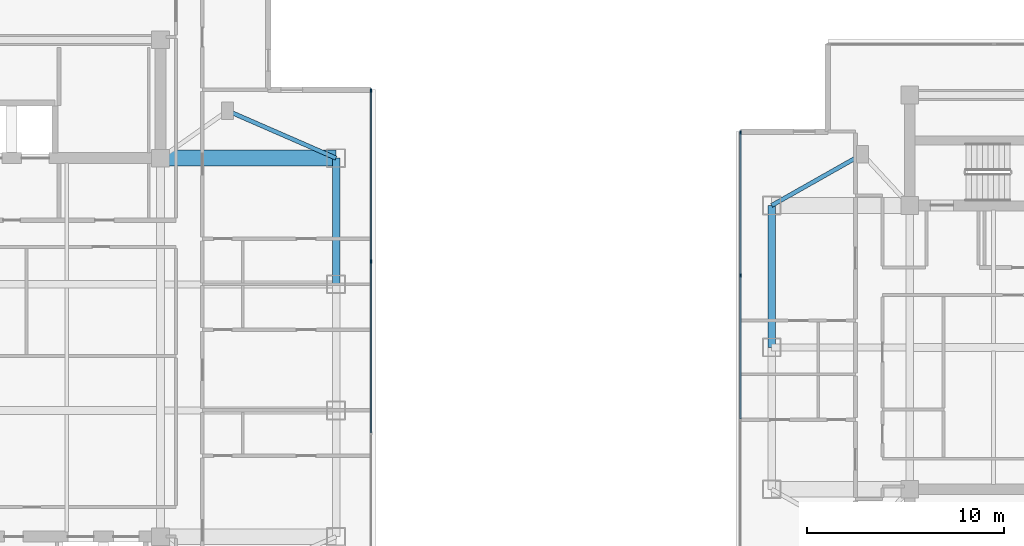
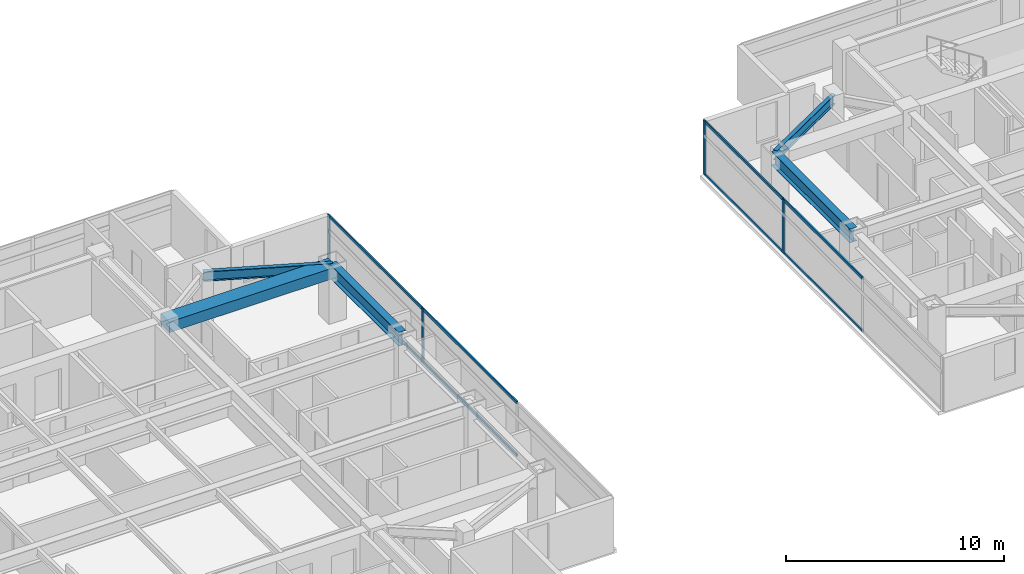
# One storey, part 6 of 24: 12 members, 5 beams, 2 elements without a shape of their own.
"""IFC4 building model written with IfcOpenShell, lengths in metres."""

from ifc_helpers import new_model, si_unit, direction, frame, origin, origin_2d, place, context, subcontext, project, spatial, rectangle, i_section, extrude, material, material_profile, profile_set, type_object, element, aggregate, save


model = new_model("IFC4")

# Units and contexts
model_context = context("Model", 3, precision=1e-05, world=origin(), true_north=direction((0.0, 1.0)))
body_context = subcontext(model_context, "Body", "Model", "MODEL_VIEW")
ifc_project = project(units=[si_unit("LENGTHUNIT", "METRE"), si_unit("AREAUNIT", "SQUARE_METRE"), si_unit("VOLUMEUNIT", "CUBIC_METRE"), si_unit("PLANEANGLEUNIT", "RADIAN"), si_unit("MASSUNIT", "GRAM", prefix="KILO")], contexts=[model_context])

# Site, building, storey
site_placement = place(None, origin())
site = spatial("IfcSite", under=ifc_project, at=site_placement, CompositionType="ELEMENT")
building_placement = place(site_placement, origin())
building = spatial("IfcBuilding", under=site, at=building_placement, Name="Mirazonda Arch Towers", CompositionType="ELEMENT")
storey_placement = place(building_placement, frame((0.0, 0.0, 193.39990234375)))
storey = spatial("IfcBuildingStorey", under=building, at=storey_placement, Name="L55", CompositionType="ELEMENT", Elevation=193.39990234375)

# Beams
ifc_material_1 = material(Name="Steel ASTM A992 Grade 50", Category="steel")
ifc_material_profile_1 = material_profile(ifc_material_1, i_section(OverallWidth=0.381103515625, OverallDepth=0.77294921875, WebThickness=0.0166015625, FlangeThickness=0.027099609375, at=origin_2d()), Name="W30X173")
ifc_profile_set_1 = profile_set([ifc_material_profile_1], Name="Steel ASTM A992 Grade 50")
beam_type_1 = type_object("IfcBeamType", Name="BM-EXT-W30X173", PredefinedType="USERDEFINED", material=ifc_profile_set_1)
beam_1_placement = place(storey_placement, frame((38.89990234375, 31.199951171875, 2.66357421875), z_axis=(0.0, 1.0, 0.0), x_axis=(-1.0, 0.0, 0.0)))
element("IfcBeam", 1, at=beam_1_placement, inside=storey, type_object=beam_type_1, Name="L55 Floor Beam BM-T1-L55-NS-E-31", ObjectType="GIRDER", PredefinedType="USERDEFINED", context=body_context, shape_type="SweptSolid", body=[
    extrude(i_section(OverallWidth=0.381103515625, OverallDepth=0.77294921875, WebThickness=0.0166015625, FlangeThickness=0.027099609375, at=origin_2d()), origin(), (0.0, 0.0, 1.0), 6.400146484375),
])
beam_2_placement = place(storey_placement, frame((61.0, 28.0, 2.66357421875), z_axis=(0.0, 1.0, 0.0), x_axis=(-1.0, 0.0, 0.0)))
element("IfcBeam", 2, at=beam_2_placement, inside=storey, type_object=beam_type_1, Name="L55 Floor Beam BM-T2-L55-NS-W-28", ObjectType="GIRDER", PredefinedType="USERDEFINED", context=body_context, shape_type="SweptSolid", body=[
    extrude(i_section(OverallWidth=0.381103515625, OverallDepth=0.77294921875, WebThickness=0.0166015625, FlangeThickness=0.027099609375, at=origin_2d()), origin(), (0.0, 0.0, 1.0), 7.199951171875),
])
ifc_material_profile_2 = material_profile(ifc_material_1, i_section(OverallWidth=0.214111328125, OverallDepth=0.549072265625, WebThickness=0.0146484375, FlangeThickness=0.023681640625, at=origin_2d()), Name="W21X93")
ifc_profile_set_2 = profile_set([ifc_material_profile_2], Name="Steel ASTM A992 Grade 50")
beam_type_2 = type_object("IfcBeamType", Name="BM-INT-W21X93", PredefinedType="BEAM", material=ifc_profile_set_2)
beam_3_placement = place(storey_placement, frame((33.39990234375, 40.0, 2.775634765625), z_axis=(0.916545343703, -0.399930785183, 0.0), x_axis=(0.399930785183, 0.916545343703, 0.0)))
element("IfcBeam", 3, at=beam_3_placement, inside=storey, type_object=beam_type_2, Name="L55 Floor Beam BM-T1-L55-PL-NE2", PredefinedType="BEAM", context=body_context, shape_type="SweptSolid", body=[
    extrude(i_section(OverallWidth=0.214111328125, OverallDepth=0.549072265625, WebThickness=0.0146484375, FlangeThickness=0.023681640625, at=origin_2d()), origin(), (0.0, 0.0, 1.0), 6.000732421875),
])
beam_4_placement = place(storey_placement, frame((65.60009765625, 37.800048828125, 2.775634765625), z_axis=(-0.870559396632, -0.492063346467, 0.0), x_axis=(0.492063346467, -0.870559396632, 0.0)))
element("IfcBeam", 4, at=beam_4_placement, inside=storey, type_object=beam_type_2, Name="L55 Floor Beam BM-T2-L55-PL-NW2", PredefinedType="BEAM", context=body_context, shape_type="SweptSolid", body=[
    extrude(i_section(OverallWidth=0.214111328125, OverallDepth=0.549072265625, WebThickness=0.0146484375, FlangeThickness=0.023681640625, at=origin_2d()), origin(), (0.0, 0.0, 1.0), 5.2841796875),
])
ifc_material_2 = material(Name="Concrete C60/75", Category="concrete")
ifc_material_profile_3 = material_profile(ifc_material_2, rectangle(XDim=0.800048828125, YDim=0.60009765625, at=origin_2d()), Name="RCCB800x600")
ifc_profile_set_3 = profile_set([ifc_material_profile_3], Name="Concrete C60/75")
beam_type_3 = type_object("IfcBeamType", Name="CB-INT-RCCB800x600", PredefinedType="SPANDREL", material=ifc_profile_set_3)
beam_5_placement = place(storey_placement, frame((30.0, 37.60009765625, 2.75), z_axis=(1.0, 0.0, 0.0), x_axis=(0.0, 1.0, 0.0)))
element("IfcBeam", 5, at=beam_5_placement, inside=storey, type_object=beam_type_3, Name="L55 Floor Beam CBC-T1-L55-NE", PredefinedType="SPANDREL", context=body_context, shape_type="SweptSolid", body=[
    extrude(rectangle(XDim=0.800048828125, YDim=0.60009765625, at=origin_2d()), origin(), (0.0, 0.0, 1.0), 8.89990234375),
])

# Curtain wall, members
ifc_material_3 = material(Name="Anodised Aluminium and Low-E Glass", Category="aluminium")
curtain_wall_type = type_object("IfcCurtainWallType", Name="CW-RES-UNIT", PredefinedType="NOTDEFINED", material=ifc_material_3)
curtain_wall_1_placement = place(storey_placement, origin())
curtain_wall_1 = element("IfcCurtainWall", 6, at=curtain_wall_1_placement, inside=storey, type_object=curtain_wall_type, Name="L55 T1 E Facade CW-L55-T1-E", PredefinedType="NOTDEFINED")
ifc_material_4 = material(Name="Anodised Aluminium Alloy", Category="aluminium")
ifc_material_profile_4 = material_profile(ifc_material_4, rectangle(XDim=0.074951171875, YDim=0.175048828125, at=origin_2d()), Name="ALU-MULL-75x175")
ifc_profile_set_4 = profile_set([ifc_material_profile_4], Name="Anodised Aluminium Alloy")
member_type_1 = type_object("IfcMemberType", Name="MULL-CW-RES-UNIT", PredefinedType="MULLION", material=ifc_profile_set_4)
member_1_placement = place(storey_placement, frame((40.669921875, 32.3564453125, 0.0), z_axis=(0.0, 0.0, 1.0), x_axis=(-1.0, 0.0, 0.0)))
member_1 = element("IfcMember", 7, at=member_1_placement, type_object=member_type_1, Name="CW-104 mullion 3", PredefinedType="MULLION", context=body_context, shape_type="SweptSolid", body=[
    extrude(rectangle(XDim=0.074951171875, YDim=0.175048828125, at=origin_2d()), origin(), (0.0, 0.0, 1.0), 3.030029296875),
])
member_2_placement = place(storey_placement, frame((40.669921875, 41.031494140625, 0.0), z_axis=(0.0, 0.0, 1.0), x_axis=(-1.0, 0.0, 0.0)))
member_2 = element("IfcMember", 8, at=member_2_placement, type_object=member_type_1, Name="CW-104 mullion 4", PredefinedType="MULLION", context=body_context, shape_type="SweptSolid", body=[
    extrude(rectangle(XDim=0.074951171875, YDim=0.175048828125, at=origin_2d()), origin(), (0.0, 0.0, 1.0), 3.030029296875),
])

curtain_wall_2_placement = place(storey_placement, origin())
curtain_wall_2 = element("IfcCurtainWall", 9, at=curtain_wall_2_placement, inside=storey, type_object=curtain_wall_type, Name="L55 T2 W Facade CW-L55-T2-W", PredefinedType="NOTDEFINED")
member_3_placement = place(storey_placement, frame((59.408447265625, 38.9111328125, 0.0), z_axis=(0.0, 0.0, 1.0), x_axis=(1.0, 0.0, 0.0)))
member_3 = element("IfcMember", 10, at=member_3_placement, type_object=member_type_1, Name="CW-104 mullion 1", PredefinedType="MULLION", context=body_context, shape_type="SweptSolid", body=[
    extrude(rectangle(XDim=0.074951171875, YDim=0.175048828125, at=origin_2d()), origin(), (0.0, 0.0, 1.0), 3.030029296875),
])
member_4_placement = place(storey_placement, frame((59.408447265625, 31.649658203125, 0.0), z_axis=(0.0, 0.0, 1.0), x_axis=(1.0, 0.0, 0.0)))
member_4 = element("IfcMember", 11, at=member_4_placement, type_object=member_type_1, Name="CW-104 mullion 2", PredefinedType="MULLION", context=body_context, shape_type="SweptSolid", body=[
    extrude(rectangle(XDim=0.074951171875, YDim=0.175048828125, at=origin_2d()), origin(), (0.0, 0.0, 1.0), 3.030029296875),
])

# Member
ifc_material_profile_5 = material_profile(ifc_material_4, rectangle(XDim=0.074951171875, YDim=0.155029296875, at=origin_2d()), Name="ALU-TRAN-75x155")
ifc_profile_set_5 = profile_set([ifc_material_profile_5], Name="Anodised Aluminium Alloy")
member_type_2 = type_object("IfcMemberType", Name="TRAN-CW-RES-UNIT", PredefinedType="USERDEFINED", material=ifc_profile_set_5)
member_5_placement = place(storey_placement, frame((40.669921875, 23.68115234375, 0.03759765625), z_axis=(0.0, 1.0, 0.0), x_axis=(-1.0, 0.0, 0.0)))
member_5 = element("IfcMember", 12, at=member_5_placement, type_object=member_type_2, Name="CW-104 transom 2.1", ObjectType="TRANSOM", PredefinedType="USERDEFINED", context=body_context, shape_type="SweptSolid", body=[
    extrude(rectangle(XDim=0.074951171875, YDim=0.155029296875, at=origin_2d()), origin(), (0.0, 0.0, 1.0), 8.6376953125),
])

member_6_placement = place(storey_placement, frame((40.669921875, 23.68115234375, 2.99267578125), z_axis=(0.0, 1.0, 0.0), x_axis=(-1.0, 0.0, 0.0)))
member_6 = element("IfcMember", 13, at=member_6_placement, type_object=member_type_2, Name="CW-104 transom 2.2", ObjectType="TRANSOM", PredefinedType="USERDEFINED", context=body_context, shape_type="SweptSolid", body=[
    extrude(rectangle(XDim=0.074951171875, YDim=0.155029296875, at=origin_2d()), origin(), (0.0, 0.0, 1.0), 8.6376953125),
])

member_7_placement = place(storey_placement, frame((40.669921875, 32.393798828125, 0.03759765625), z_axis=(0.0, 1.0, 0.0), x_axis=(-1.0, 0.0, 0.0)))
member_7 = element("IfcMember", 14, at=member_7_placement, type_object=member_type_2, Name="CW-104 transom 3.1", ObjectType="TRANSOM", PredefinedType="USERDEFINED", context=body_context, shape_type="SweptSolid", body=[
    extrude(rectangle(XDim=0.074951171875, YDim=0.155029296875, at=origin_2d()), origin(), (0.0, 0.0, 1.0), 8.60009765625),
])

member_8_placement = place(storey_placement, frame((40.669921875, 32.393798828125, 2.99267578125), z_axis=(0.0, 1.0, 0.0), x_axis=(-1.0, 0.0, 0.0)))
member_8 = element("IfcMember", 15, at=member_8_placement, type_object=member_type_2, Name="CW-104 transom 3.2", ObjectType="TRANSOM", PredefinedType="USERDEFINED", context=body_context, shape_type="SweptSolid", body=[
    extrude(rectangle(XDim=0.074951171875, YDim=0.155029296875, at=origin_2d()), origin(), (0.0, 0.0, 1.0), 8.60009765625),
])

aggregate(curtain_wall_1, [member_1, member_2, member_5, member_6, member_7, member_8])

member_9_placement = place(storey_placement, frame((59.408447265625, 38.873779296875, 0.03759765625), z_axis=(0.0, -1.0, 0.0), x_axis=(1.0, 0.0, 0.0)))
member_9 = element("IfcMember", 16, at=member_9_placement, type_object=member_type_2, Name="CW-104 transom 1.1", ObjectType="TRANSOM", PredefinedType="USERDEFINED", context=body_context, shape_type="SweptSolid", body=[
    extrude(rectangle(XDim=0.074951171875, YDim=0.155029296875, at=origin_2d()), origin(), (0.0, 0.0, 1.0), 7.186767578125),
])

member_10_placement = place(storey_placement, frame((59.408447265625, 38.873779296875, 2.99267578125), z_axis=(0.0, -1.0, 0.0), x_axis=(1.0, 0.0, 0.0)))
member_10 = element("IfcMember", 17, at=member_10_placement, type_object=member_type_2, Name="CW-104 transom 1.2", ObjectType="TRANSOM", PredefinedType="USERDEFINED", context=body_context, shape_type="SweptSolid", body=[
    extrude(rectangle(XDim=0.074951171875, YDim=0.155029296875, at=origin_2d()), origin(), (0.0, 0.0, 1.0), 7.186767578125),
])

member_11_placement = place(storey_placement, frame((59.408447265625, 31.612060546875, 0.03759765625), z_axis=(0.0, -1.0, 0.0), x_axis=(1.0, 0.0, 0.0)))
member_11 = element("IfcMember", 18, at=member_11_placement, type_object=member_type_2, Name="CW-104 transom 2.1", ObjectType="TRANSOM", PredefinedType="USERDEFINED", context=body_context, shape_type="SweptSolid", body=[
    extrude(rectangle(XDim=0.074951171875, YDim=0.155029296875, at=origin_2d()), origin(), (0.0, 0.0, 1.0), 7.22412109375),
])

member_12_placement = place(storey_placement, frame((59.408447265625, 31.612060546875, 2.99267578125), z_axis=(0.0, -1.0, 0.0), x_axis=(1.0, 0.0, 0.0)))
member_12 = element("IfcMember", 19, at=member_12_placement, type_object=member_type_2, Name="CW-104 transom 2.2", ObjectType="TRANSOM", PredefinedType="USERDEFINED", context=body_context, shape_type="SweptSolid", body=[
    extrude(rectangle(XDim=0.074951171875, YDim=0.155029296875, at=origin_2d()), origin(), (0.0, 0.0, 1.0), 7.22412109375),
])

aggregate(curtain_wall_2, [member_3, member_4, member_9, member_10, member_11, member_12])

save(model, "model.ifc")
